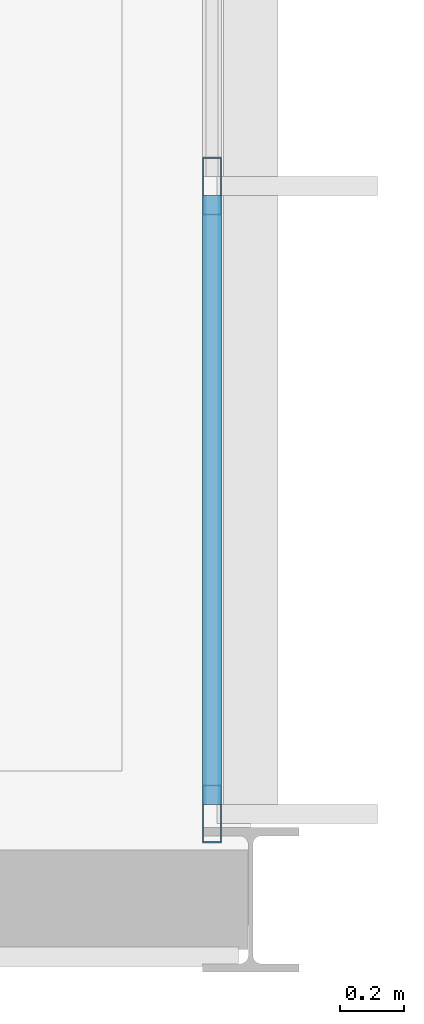
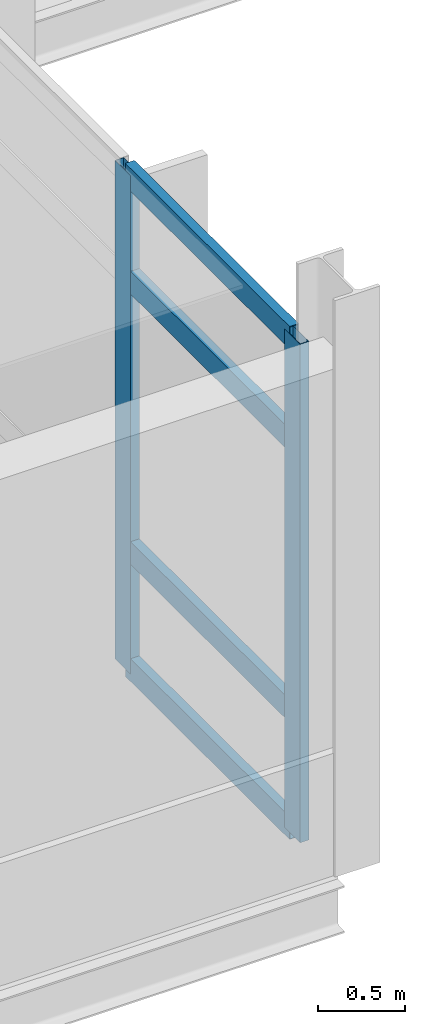
# One storey, part 47 of 131: 6 members, 1 element without a shape of its own.
"""IFC4 building model written with IfcOpenShell, lengths in metres."""

from ifc_helpers import new_model, si_unit, direction, frame, origin, origin_2d, place, context, subcontext, project, spatial, hollow_rectangle, extrude, material, material_profile, profile_set, type_object, element, aggregate, save


model = new_model("IFC4")

# Units and contexts
model_context = context("Model", 3, precision=1e-05, world=origin(), true_north=direction((0.0, 1.0)))
body_context = subcontext(model_context, "Body", "Model", "MODEL_VIEW")
ifc_project = project(units=[si_unit("LENGTHUNIT", "METRE"), si_unit("AREAUNIT", "SQUARE_METRE"), si_unit("VOLUMEUNIT", "CUBIC_METRE"), si_unit("PLANEANGLEUNIT", "RADIAN"), si_unit("MASSUNIT", "GRAM", prefix="KILO")], contexts=[model_context])

# Site, building, storey
site_placement = place(None, origin())
site = spatial("IfcSite", under=ifc_project, at=site_placement, CompositionType="ELEMENT")
building_placement = place(site_placement, origin())
building = spatial("IfcBuilding", under=site, at=building_placement, Name="Mersafa Astral City Hall", CompositionType="ELEMENT")
storey_placement = place(building_placement, frame((0.0, 0.0, 13.949951171875)))
storey = spatial("IfcBuildingStorey", under=building, at=storey_placement, Name="L03", CompositionType="ELEMENT", Elevation=13.949951171875)

# Curtain wall, members
ifc_material = material(Name="Anodised bronze aluminium framing", Category="aluminium")
curtain_wall_type = type_object("IfcCurtainWallType", Name="ENV-CW-5", PredefinedType="USERDEFINED", material=ifc_material)
curtain_wall_placement = place(storey_placement, origin())
curtain_wall = element("IfcCurtainWall", 1, at=curtain_wall_placement, inside=storey, type_object=curtain_wall_type, Name="L03 Unitised solar curtain wall 178", ObjectType="UNITISED CURTAIN WALL", PredefinedType="USERDEFINED")
ifc_material_profile_1 = material_profile(ifc_material, hollow_rectangle(XDim=0.06005859375, YDim=0.179931640625, WallThickness=0.00390625, at=origin_2d()), Name="RHS 60x180x4")
ifc_profile_set_1 = profile_set([ifc_material_profile_1], Name="Anodised bronze aluminium framing")
member_type_1 = type_object("IfcMemberType", Name="ENV-CW-MUL-1", PredefinedType="MULLION", material=ifc_profile_set_1)
member_1_placement = place(storey_placement, frame((58.679931640625, 109.467041015625, -0.001953125), z_axis=(0.0, 0.0, 1.0), x_axis=(-1.0, 0.0, 0.0)))
member_1 = element("IfcMember", 2, at=member_1_placement, type_object=member_type_1, Name="CW-5 mullion 1", PredefinedType="MULLION", context=body_context, shape_type="SweptSolid", body=[
    extrude(hollow_rectangle(XDim=0.06005859375, YDim=0.179931640625, WallThickness=0.00390625, at=origin_2d()), origin(), (0.0, 0.0, 1.0), 3.50390625),
])
member_2_placement = place(storey_placement, frame((58.679931640625, 111.41845703125, -0.001953125), z_axis=(0.0, 0.0, 1.0), x_axis=(-1.0, 0.0, 0.0)))
member_2 = element("IfcMember", 3, at=member_2_placement, type_object=member_type_1, Name="CW-5 mullion 2", PredefinedType="MULLION", context=body_context, shape_type="SweptSolid", body=[
    extrude(hollow_rectangle(XDim=0.06005859375, YDim=0.179931640625, WallThickness=0.00390625, at=origin_2d()), origin(), (0.0, 0.0, 1.0), 3.50390625),
])
ifc_material_profile_2 = material_profile(ifc_material, hollow_rectangle(XDim=0.06005859375, YDim=0.159912109375, WallThickness=0.00390625, at=origin_2d()), Name="RHS 60x160x4")
ifc_profile_set_2 = profile_set([ifc_material_profile_2], Name="Anodised bronze aluminium framing")
member_type_2 = type_object("IfcMemberType", Name="ENV-CW-TRN-2", PredefinedType="USERDEFINED", material=ifc_profile_set_2)
member_3_placement = place(storey_placement, frame((58.679931640625, 109.4970703125, 0.028076171875), z_axis=(0.0, 1.0, 0.0), x_axis=(-1.0, 0.0, 0.0)))
member_3 = element("IfcMember", 4, at=member_3_placement, type_object=member_type_2, Name="CW-5 transom 1.1", ObjectType="TRANSOM", PredefinedType="USERDEFINED", context=body_context, shape_type="SweptSolid", body=[
    extrude(hollow_rectangle(XDim=0.06005859375, YDim=0.159912109375, WallThickness=0.00390625, at=origin_2d()), origin(), (0.0, 0.0, 1.0), 1.891357421875),
])
member_4_placement = place(storey_placement, frame((58.679931640625, 109.4970703125, 0.85009765625), z_axis=(0.0, 1.0, 0.0), x_axis=(-1.0, 0.0, 0.0)))
member_4 = element("IfcMember", 5, at=member_4_placement, type_object=member_type_2, Name="CW-5 transom 1.2", ObjectType="TRANSOM", PredefinedType="USERDEFINED", context=body_context, shape_type="SweptSolid", body=[
    extrude(hollow_rectangle(XDim=0.06005859375, YDim=0.159912109375, WallThickness=0.00390625, at=origin_2d()), origin(), (0.0, 0.0, 1.0), 1.891357421875),
])
member_5_placement = place(storey_placement, frame((58.679931640625, 109.4970703125, 2.75), z_axis=(0.0, 1.0, 0.0), x_axis=(-1.0, 0.0, 0.0)))
member_5 = element("IfcMember", 6, at=member_5_placement, type_object=member_type_2, Name="CW-5 transom 1.3", ObjectType="TRANSOM", PredefinedType="USERDEFINED", context=body_context, shape_type="SweptSolid", body=[
    extrude(hollow_rectangle(XDim=0.06005859375, YDim=0.159912109375, WallThickness=0.00390625, at=origin_2d()), origin(), (0.0, 0.0, 1.0), 1.891357421875),
])
member_6_placement = place(storey_placement, frame((58.679931640625, 109.4970703125, 3.47216796875), z_axis=(0.0, 1.0, 0.0), x_axis=(-1.0, 0.0, 0.0)))
member_6 = element("IfcMember", 7, at=member_6_placement, type_object=member_type_2, Name="CW-5 transom 1.4", ObjectType="TRANSOM", PredefinedType="USERDEFINED", context=body_context, shape_type="SweptSolid", body=[
    extrude(hollow_rectangle(XDim=0.06005859375, YDim=0.159912109375, WallThickness=0.00390625, at=origin_2d()), origin(), (0.0, 0.0, 1.0), 1.891357421875),
])
aggregate(curtain_wall, [member_1, member_2, member_3, member_4, member_5, member_6])

save(model, "model.ifc")
